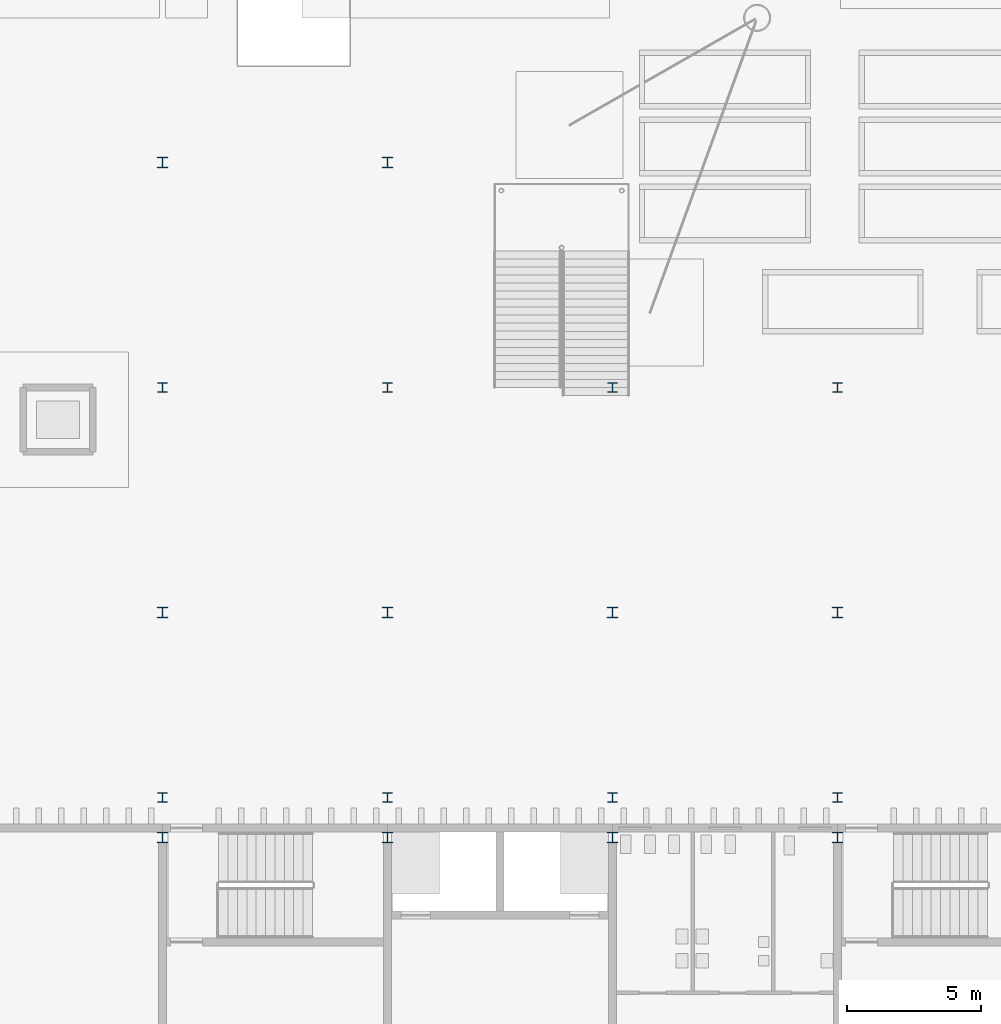
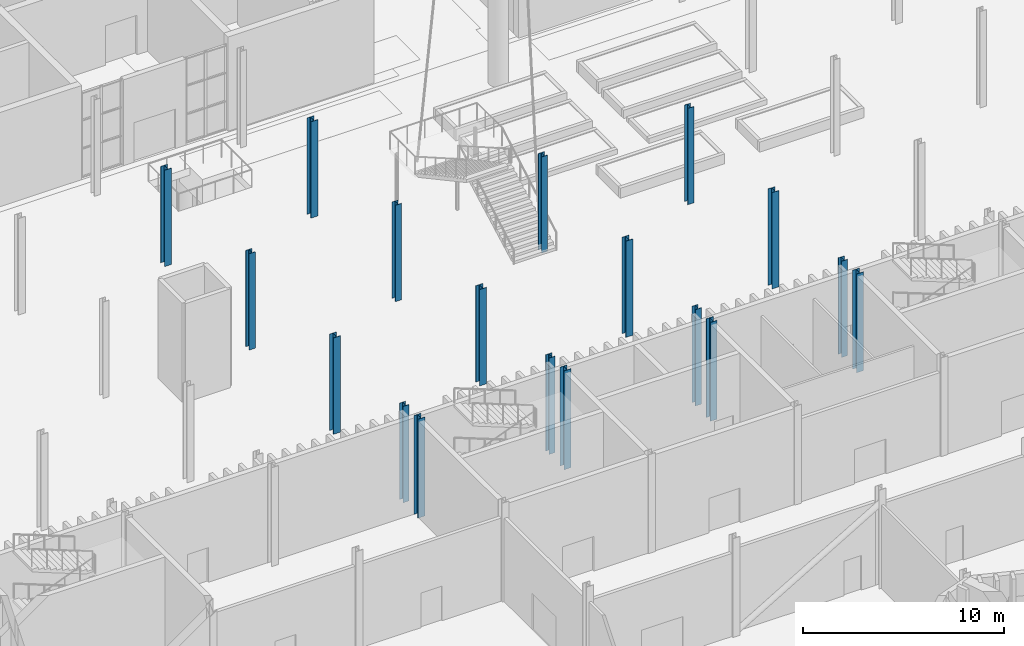
# One storey, part 14 of 108: 18 columns.
"""IFC4 building model written with IfcOpenShell, lengths in metres."""

from ifc_helpers import new_model, si_unit, direction, frame, origin, origin_2d, place, context, subcontext, project, spatial, i_section, extrude, material, material_profile, profile_set, type_object, element, save


model = new_model("IFC4")

# Units and contexts
model_context = context("Model", 3, precision=1e-05, world=origin(), true_north=direction((0.0, 1.0)))
body_context = subcontext(model_context, "Body", "Model", "MODEL_VIEW")
ifc_project = project(units=[si_unit("LENGTHUNIT", "METRE"), si_unit("AREAUNIT", "SQUARE_METRE"), si_unit("VOLUMEUNIT", "CUBIC_METRE"), si_unit("PLANEANGLEUNIT", "RADIAN"), si_unit("MASSUNIT", "GRAM", prefix="KILO")], contexts=[model_context])

# Site, building, storey
site_placement = place(None, origin())
site = spatial("IfcSite", under=ifc_project, at=site_placement, CompositionType="ELEMENT")
building_placement = place(site_placement, origin())
building = spatial("IfcBuilding", under=site, at=building_placement, Name="Cresset Court Congress Hotel", CompositionType="ELEMENT")
storey_placement = place(building_placement, origin())
storey = spatial("IfcBuildingStorey", under=building, at=storey_placement, Name="L00", CompositionType="ELEMENT", Elevation=0.0)

# Columns
ifc_material_1 = material(Name="Structural steel Q355B", Category="steel")
ifc_material_profile_1 = material_profile(ifc_material_1, i_section(OverallWidth=0.35009765625, OverallDepth=0.35009765625, WebThickness=0.011962890625, FlangeThickness=0.01904296875, FilletRadius=0.012939453125, at=origin_2d()), Name="HW350x350x12x19")
ifc_profile_set_1 = profile_set([ifc_material_profile_1], Name="Structural steel Q355B")
column_type_1 = type_object("IfcColumnType", Name="Steel column HW350x350x12x19", PredefinedType="COLUMN", material=ifc_profile_set_1)
for number, where, z_axis, x_axis, name in (
    (1, (33.60009765625, 26.699951171875, 0.0), (0.0, 0.0, 1.0), (1.0, 0.0, 0.0), "Deck column R104"),
    (2, (42.0, 26.699951171875, 0.0), (0.0, 0.0, 1.0), (1.0, 0.0, 0.0), "Deck column R105"),
    (3, (50.39990234375, 26.699951171875, 0.0), (0.0, 0.0, 1.0), (1.0, 0.0, 0.0), "Deck column R106"),
    (4, (58.800048828125, 26.699951171875, 0.0), (0.0, 0.0, 1.0), (1.0, 0.0, 0.0), "Deck column R107"),
    (5, (33.60009765625, 42.0, 0.0), (0.0, 0.0, 1.0), (1.0, 0.0, 0.0), "Deck column R304"),
    (6, (42.0, 42.0, 0.0), (0.0, 0.0, 1.0), (1.0, 0.0, 0.0), "Deck column R305"),
    (7, (50.39990234375, 42.0, 0.0), (0.0, 0.0, 1.0), (1.0, 0.0, 0.0), "Deck column R306"),
    (8, (58.800048828125, 42.0, 0.0), (0.0, 0.0, 1.0), (1.0, 0.0, 0.0), "Deck column R307"),
):
    element("IfcColumn", number, at=place(storey_placement, frame(where, z_axis=z_axis, x_axis=x_axis)), inside=storey, type_object=column_type_1, Name=name, PredefinedType="COLUMN", context=body_context, shape_type="SweptSolid", body=[
        extrude(i_section(OverallWidth=0.35009765625, OverallDepth=0.35009765625, WebThickness=0.011962890625, FlangeThickness=0.01904296875, FilletRadius=0.012939453125, at=origin_2d()), origin(), (0.0, 0.0, 1.0), 5.85009765625),
    ])
ifc_material_2 = material(Name="Structural steel Q355B", Category="steel")
ifc_material_profile_2 = material_profile(ifc_material_2, i_section(OverallWidth=0.39990234375, OverallDepth=0.39990234375, WebThickness=0.012939453125, FlangeThickness=0.02099609375, FilletRadius=0.02197265625, at=origin_2d()), Name="HW400x400x13x21")
ifc_profile_set_2 = profile_set([ifc_material_profile_2], Name="Structural steel Q355B")
column_type_2 = type_object("IfcColumnType", Name="Steel column HW400x400x13x21", PredefinedType="COLUMN", material=ifc_profile_set_2)
for number, where, z_axis, x_axis, name in (
    (9, (33.60009765625, 33.60009765625, 0.0), (0.0, 0.0, 1.0), (1.0, 0.0, 0.0), "Deck column R204"),
    (10, (42.0, 33.60009765625, 0.0), (0.0, 0.0, 1.0), (1.0, 0.0, 0.0), "Deck column R205"),
    (11, (50.39990234375, 33.60009765625, 0.0), (0.0, 0.0, 1.0), (1.0, 0.0, 0.0), "Deck column R206"),
    (12, (58.800048828125, 33.60009765625, 0.0), (0.0, 0.0, 1.0), (1.0, 0.0, 0.0), "Deck column R207"),
    (13, (33.60009765625, 50.39990234375, 0.0), (0.0, 0.0, 1.0), (1.0, 0.0, 0.0), "Deck column B13"),
    (14, (42.0, 50.39990234375, 0.0), (0.0, 0.0, 1.0), (1.0, 0.0, 0.0), "Deck column B14"),
):
    element("IfcColumn", number, at=place(storey_placement, frame(where, z_axis=z_axis, x_axis=x_axis)), inside=storey, type_object=column_type_2, Name=name, PredefinedType="COLUMN", context=body_context, shape_type="SweptSolid", body=[
        extrude(i_section(OverallWidth=0.39990234375, OverallDepth=0.39990234375, WebThickness=0.012939453125, FlangeThickness=0.02099609375, FilletRadius=0.02197265625, at=origin_2d()), origin(), (0.0, 0.0, 1.0), 5.85009765625),
    ])
for number, where, z_axis, x_axis, name in (
    (15, (33.60009765625, 25.199951171875, 0.0), (0.0, 0.0, 1.0), (1.0, 0.0, 0.0), "B.col.L00.05D"),
    (16, (42.0, 25.199951171875, 0.0), (0.0, 0.0, 1.0), (1.0, 0.0, 0.0), "B.col.L00.06D"),
    (17, (50.39990234375, 25.199951171875, 0.0), (0.0, 0.0, 1.0), (1.0, 0.0, 0.0), "B.col.L00.07D"),
    (18, (58.800048828125, 25.199951171875, 0.0), (0.0, 0.0, 1.0), (1.0, 0.0, 0.0), "B.col.L00.08D"),
):
    element("IfcColumn", number, at=place(storey_placement, frame(where, z_axis=z_axis, x_axis=x_axis)), inside=storey, type_object=column_type_2, Name=name, PredefinedType="COLUMN", context=body_context, shape_type="SweptSolid", body=[
        extrude(i_section(OverallWidth=0.39990234375, OverallDepth=0.39990234375, WebThickness=0.012939453125, FlangeThickness=0.02099609375, FilletRadius=0.02197265625, at=origin_2d()), origin(), (0.0, 0.0, 1.0), 6.0),
    ])

save(model, "model.ifc")
